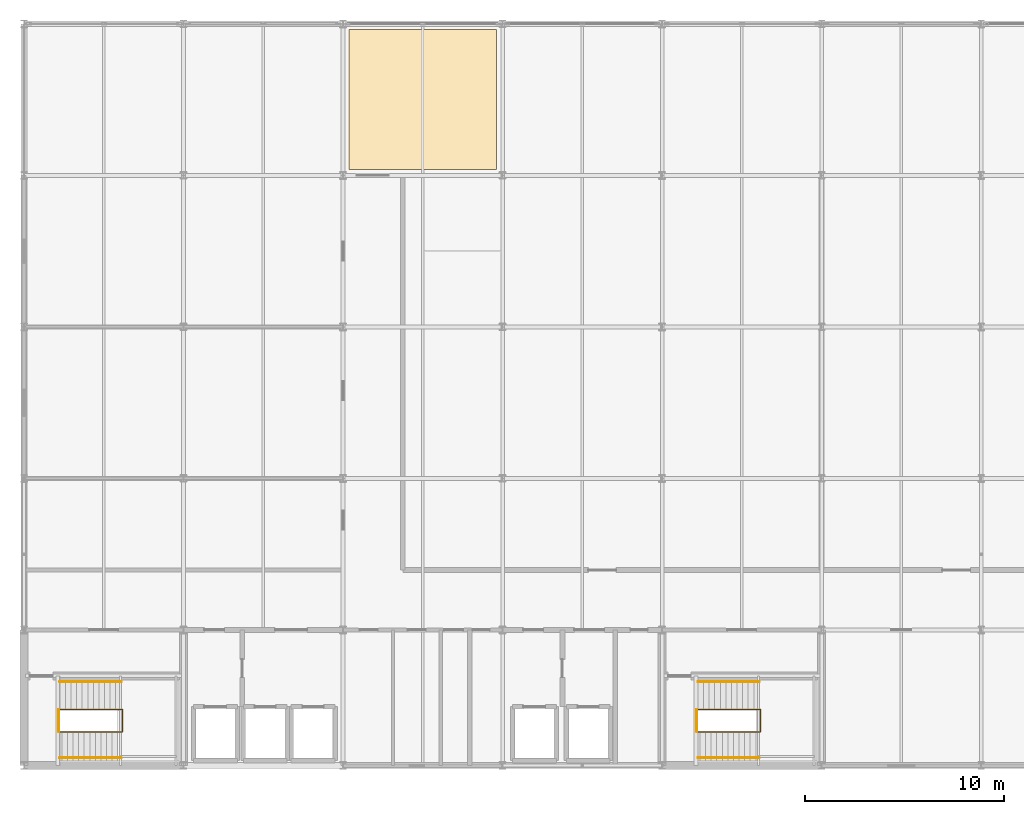
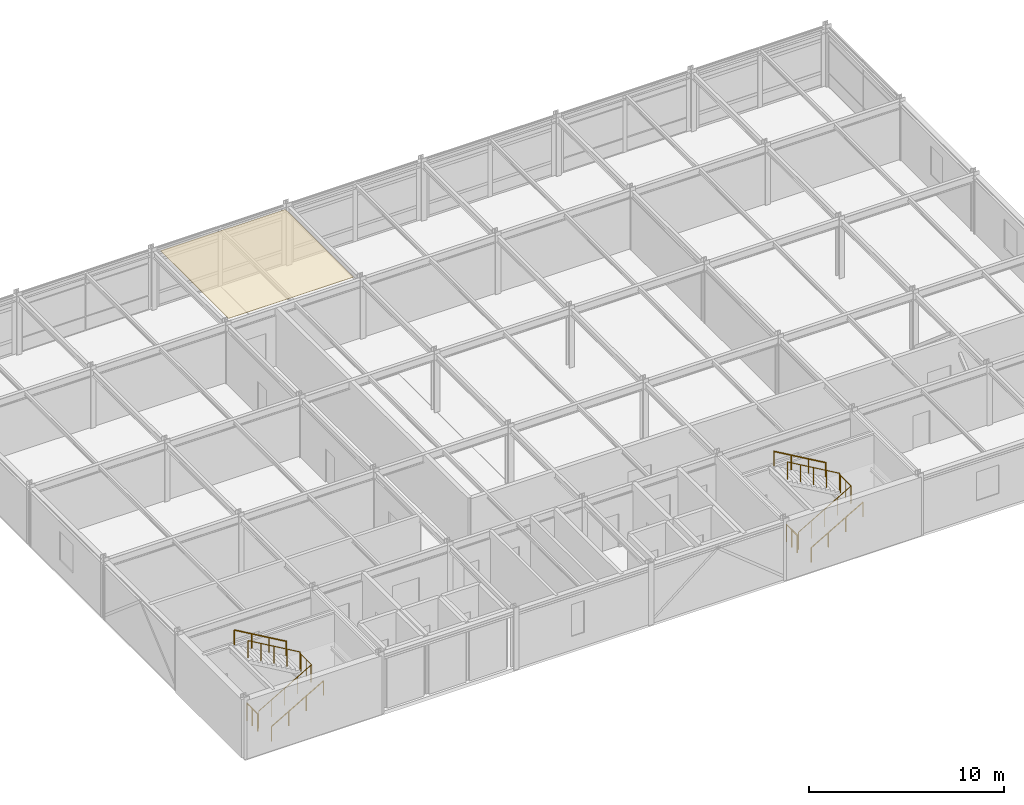
# One storey, part 16 of 16: 8 railings, 1 covering.
"""IFC4 building model written with IfcOpenShell, lengths in metres."""

from ifc_helpers import new_model, si_unit, direction, frame, origin, origin_2d, place, context, subcontext, project, spatial, polyline, circle, outline, extrude, material, layer, layer_set, type_object, element, save


model = new_model("IFC4")

# Units and contexts
model_context = context("Model", 3, precision=1e-05, world=origin(), true_north=direction((0.0, 1.0)))
body_context = subcontext(model_context, "Body", "Model", "MODEL_VIEW")
ifc_project = project(units=[si_unit("LENGTHUNIT", "METRE"), si_unit("AREAUNIT", "SQUARE_METRE"), si_unit("VOLUMEUNIT", "CUBIC_METRE"), si_unit("PLANEANGLEUNIT", "RADIAN"), si_unit("MASSUNIT", "GRAM", prefix="KILO")], contexts=[model_context])

# Site, building, storey
site_placement = place(None, origin())
site = spatial("IfcSite", under=ifc_project, at=site_placement, CompositionType="ELEMENT")
building_placement = place(site_placement, origin())
building = spatial("IfcBuilding", under=site, at=building_placement, Name="Shalkamar Park Central Library", CompositionType="ELEMENT")
storey_placement = place(building_placement, frame((0.0, 0.0, 43.800048828125)))
storey = spatial("IfcBuildingStorey", under=building, at=storey_placement, Name="L11", CompositionType="ELEMENT", Elevation=43.800048828125)

# Covering
ifc_material_1 = material(Name="Acoustic mineral fibre ceiling panel", Category="other")
ifc_layer = layer(ifc_material_1, 0.02490234375)
ifc_layer_set = layer_set([ifc_layer], Name="AcousticMineralCeilingTile")
covering_type = type_object("IfcCoveringType", Name="Acoustic Mineral Ceiling Tile", PredefinedType="CEILING", material=ifc_layer_set)
covering_placement = place(storey_placement, frame((0.0, 0.0, 3.655029296875)))
element("IfcCovering", 1, at=covering_placement, inside=storey, type_object=covering_type, Name="Acoustic Reading Ceiling Panel L11", PredefinedType="CEILING", context=body_context, shape_type="SweptSolid", body=[
    extrude(outline(polyline([(181.300048828125, 278.300048828125), (188.699951171875, 278.300048828125), (188.699951171875, 285.300048828125), (181.300048828125, 285.300048828125), (181.300048828125, 278.300048828125)])), origin(), (0.0, 0.0, 1.0), 0.02490234375),
])

# Railings
ifc_material_2 = material(Name="Steel S355", Category="steel")
railing_type_1 = type_object("IfcRailingType", Name="Stair Guardrail 1100", PredefinedType="GUARDRAIL", material=ifc_material_2)
railing_1_placement = place(storey_placement, frame((166.800048828125, 250.090087890625, 0.162353515625)))
element("IfcRailing", 2, at=railing_1_placement, inside=storey, type_object=railing_type_1, Name="Stair Inner Well Guardrail ST-T1-L11", PredefinedType="GUARDRAIL", context=body_context, shape_type="SweptSolid", body=[
    extrude(circle(Radius=0.02392578125, at=origin_2d()), frame((0.0, 0.0, 1.076171875), z_axis=(0.864873446163, 0.0, 0.501989962173), x_axis=(0.0, 1.0, 0.0)), (0.0, 0.0, 1.0), 3.56103515625),
    extrude(circle(Radius=0.02392578125, at=origin_2d()), frame((3.079833984375, 0.0, 2.86376953125), z_axis=(1.0, 0.0, 0.0), x_axis=(0.0, 1.0, 0.0)), (0.0, 0.0, 1.0), 0.06005859375),
    extrude(circle(Radius=0.02392578125, at=origin_2d()), frame((3.139892578125, 0.0, 2.86376953125), z_axis=(0.0, 1.0, 0.0), x_axis=(-1.0, 0.0, 0.0)), (0.0, 0.0, 1.0), 1.119873046875),
    extrude(circle(Radius=0.02392578125, at=origin_2d()), frame((3.139892578125, 1.119873046875, 2.86376953125), z_axis=(-0.346488496144, 0.0, 0.938054221269), x_axis=(0.0, -1.0, 0.0)), (0.0, 0.0, 1.0), 0.17333984375),
    extrude(circle(Radius=0.02392578125, at=origin_2d()), frame((3.079833984375, 1.119873046875, 3.0263671875), z_axis=(-0.864903211148, 0.0, 0.501938676878), x_axis=(0.0, -1.0, 0.0)), (0.0, 0.0, 1.0), 3.560791015625),
    extrude(circle(Radius=0.02099609375, at=origin_2d()), origin(), (0.0, 0.0, 1.0), 1.052001953125),
    extrude(circle(Radius=0.02099609375, at=origin_2d()), frame((0.77001953125, 0.0, 0.44677734375)), (0.0, 0.0, 1.0), 1.052001953125),
    extrude(circle(Radius=0.02099609375, at=origin_2d()), frame((1.5400390625, 0.0, 0.893798828125)), (0.0, 0.0, 1.0), 1.052001953125),
    extrude(circle(Radius=0.02099609375, at=origin_2d()), frame((2.309814453125, 0.0, 1.3408203125)), (0.0, 0.0, 1.0), 1.052001953125),
    extrude(circle(Radius=0.02099609375, at=origin_2d()), frame((3.079833984375, 0.0, 1.78759765625)), (0.0, 0.0, 1.0), 1.052001953125),
    extrude(circle(Radius=0.02099609375, at=origin_2d()), frame((3.139892578125, 0.0, 1.78759765625)), (0.0, 0.0, 1.0), 1.052001953125),
    extrude(circle(Radius=0.02099609375, at=origin_2d()), frame((3.139892578125, 0.56005859375, 1.78759765625)), (0.0, 0.0, 1.0), 1.052001953125),
    extrude(circle(Radius=0.02099609375, at=origin_2d()), frame((3.139892578125, 1.119873046875, 1.78759765625)), (0.0, 0.0, 1.0), 1.052001953125),
    extrude(circle(Radius=0.02099609375, at=origin_2d()), frame((3.079833984375, 1.119873046875, 1.9501953125)), (0.0, 0.0, 1.0), 1.052001953125),
    extrude(circle(Radius=0.02099609375, at=origin_2d()), frame((2.309814453125, 1.119873046875, 2.39697265625)), (0.0, 0.0, 1.0), 1.052001953125),
    extrude(circle(Radius=0.02099609375, at=origin_2d()), frame((1.5400390625, 1.119873046875, 2.84375)), (0.0, 0.0, 1.0), 1.052001953125),
    extrude(circle(Radius=0.02099609375, at=origin_2d()), frame((0.77001953125, 1.119873046875, 3.290771484375)), (0.0, 0.0, 1.0), 1.052001953125),
    extrude(circle(Radius=0.02099609375, at=origin_2d()), frame((0.0, 1.119873046875, 3.737548828125)), (0.0, 0.0, 1.0), 1.052001953125),
])
railing_2_placement = place(storey_placement, frame((166.739990234375, 250.10009765625, 0.0)))
element("IfcRailing", 3, at=railing_2_placement, inside=storey, type_object=railing_type_1, Name="Stair Arrival Well Guardrail ST-T1 (L11)", PredefinedType="GUARDRAIL", context=body_context, shape_type="SweptSolid", body=[
    extrude(circle(Radius=0.02392578125, at=origin_2d()), frame((0.0, 0.0, 1.076171875), z_axis=(0.0, 1.0, 0.0), x_axis=(-1.0, 0.0, 0.0)), (0.0, 0.0, 1.0), 1.099853515625),
    extrude(circle(Radius=0.02099609375, at=origin_2d()), origin(), (0.0, 0.0, 1.0), 1.052001953125),
    extrude(circle(Radius=0.02099609375, at=origin_2d()), frame((0.0, 0.5498046875, 0.0)), (0.0, 0.0, 1.0), 1.052001953125),
    extrude(circle(Radius=0.02099609375, at=origin_2d()), frame((0.0, 1.099853515625, 0.0)), (0.0, 0.0, 1.0), 1.052001953125),
])
railing_3_placement = place(storey_placement, frame((198.800048828125, 250.090087890625, 0.162353515625)))
element("IfcRailing", 4, at=railing_3_placement, inside=storey, type_object=railing_type_1, Name="Stair Inner Well Guardrail ST-T2-L11", PredefinedType="GUARDRAIL", context=body_context, shape_type="SweptSolid", body=[
    extrude(circle(Radius=0.02392578125, at=origin_2d()), frame((0.0, 0.0, 1.076171875), z_axis=(0.864873446163, 0.0, 0.501989962173), x_axis=(0.0, 1.0, 0.0)), (0.0, 0.0, 1.0), 3.56103515625),
    extrude(circle(Radius=0.02392578125, at=origin_2d()), frame((3.079833984375, 0.0, 2.86376953125), z_axis=(1.0, 0.0, 0.0), x_axis=(0.0, 1.0, 0.0)), (0.0, 0.0, 1.0), 0.06005859375),
    extrude(circle(Radius=0.02392578125, at=origin_2d()), frame((3.139892578125, 0.0, 2.86376953125), z_axis=(0.0, 1.0, 0.0), x_axis=(-1.0, 0.0, 0.0)), (0.0, 0.0, 1.0), 1.119873046875),
    extrude(circle(Radius=0.02392578125, at=origin_2d()), frame((3.139892578125, 1.119873046875, 2.86376953125), z_axis=(-0.346488496144, 0.0, 0.938054221269), x_axis=(0.0, -1.0, 0.0)), (0.0, 0.0, 1.0), 0.17333984375),
    extrude(circle(Radius=0.02392578125, at=origin_2d()), frame((3.079833984375, 1.119873046875, 3.0263671875), z_axis=(-0.864903211148, 0.0, 0.501938676878), x_axis=(0.0, -1.0, 0.0)), (0.0, 0.0, 1.0), 3.560791015625),
    extrude(circle(Radius=0.02099609375, at=origin_2d()), origin(), (0.0, 0.0, 1.0), 1.052001953125),
    extrude(circle(Radius=0.02099609375, at=origin_2d()), frame((0.77001953125, 0.0, 0.44677734375)), (0.0, 0.0, 1.0), 1.052001953125),
    extrude(circle(Radius=0.02099609375, at=origin_2d()), frame((1.5400390625, 0.0, 0.893798828125)), (0.0, 0.0, 1.0), 1.052001953125),
    extrude(circle(Radius=0.02099609375, at=origin_2d()), frame((2.309814453125, 0.0, 1.3408203125)), (0.0, 0.0, 1.0), 1.052001953125),
    extrude(circle(Radius=0.02099609375, at=origin_2d()), frame((3.079833984375, 0.0, 1.78759765625)), (0.0, 0.0, 1.0), 1.052001953125),
    extrude(circle(Radius=0.02099609375, at=origin_2d()), frame((3.139892578125, 0.0, 1.78759765625)), (0.0, 0.0, 1.0), 1.052001953125),
    extrude(circle(Radius=0.02099609375, at=origin_2d()), frame((3.139892578125, 0.56005859375, 1.78759765625)), (0.0, 0.0, 1.0), 1.052001953125),
    extrude(circle(Radius=0.02099609375, at=origin_2d()), frame((3.139892578125, 1.119873046875, 1.78759765625)), (0.0, 0.0, 1.0), 1.052001953125),
    extrude(circle(Radius=0.02099609375, at=origin_2d()), frame((3.079833984375, 1.119873046875, 1.9501953125)), (0.0, 0.0, 1.0), 1.052001953125),
    extrude(circle(Radius=0.02099609375, at=origin_2d()), frame((2.309814453125, 1.119873046875, 2.39697265625)), (0.0, 0.0, 1.0), 1.052001953125),
    extrude(circle(Radius=0.02099609375, at=origin_2d()), frame((1.5400390625, 1.119873046875, 2.84375)), (0.0, 0.0, 1.0), 1.052001953125),
    extrude(circle(Radius=0.02099609375, at=origin_2d()), frame((0.77001953125, 1.119873046875, 3.290771484375)), (0.0, 0.0, 1.0), 1.052001953125),
    extrude(circle(Radius=0.02099609375, at=origin_2d()), frame((0.0, 1.119873046875, 3.737548828125)), (0.0, 0.0, 1.0), 1.052001953125),
])
railing_4_placement = place(storey_placement, frame((198.739990234375, 250.10009765625, 0.0)))
element("IfcRailing", 5, at=railing_4_placement, inside=storey, type_object=railing_type_1, Name="Stair Arrival Well Guardrail ST-T2 (L11)", PredefinedType="GUARDRAIL", context=body_context, shape_type="SweptSolid", body=[
    extrude(circle(Radius=0.02392578125, at=origin_2d()), frame((0.0, 0.0, 1.076171875), z_axis=(0.0, 1.0, 0.0), x_axis=(-1.0, 0.0, 0.0)), (0.0, 0.0, 1.0), 1.099853515625),
    extrude(circle(Radius=0.02099609375, at=origin_2d()), origin(), (0.0, 0.0, 1.0), 1.052001953125),
    extrude(circle(Radius=0.02099609375, at=origin_2d()), frame((0.0, 0.5498046875, 0.0)), (0.0, 0.0, 1.0), 1.052001953125),
    extrude(circle(Radius=0.02099609375, at=origin_2d()), frame((0.0, 1.099853515625, 0.0)), (0.0, 0.0, 1.0), 1.052001953125),
])
railing_type_2 = type_object("IfcRailingType", Name="Stair Pitched Handrail 920", PredefinedType="HANDRAIL", material=ifc_material_2)
railing_5_placement = place(storey_placement, frame((166.800048828125, 248.780029296875, 0.162353515625)))
element("IfcRailing", 6, at=railing_5_placement, inside=storey, type_object=railing_type_2, Name="Stair Wall Handrail ST-T1-L11 Flight 1", PredefinedType="HANDRAIL", context=body_context, shape_type="SweptSolid", body=[
    extrude(circle(Radius=0.02392578125, at=origin_2d()), frame((0.0, 0.0, 0.89599609375), z_axis=(0.864873446163, 0.0, 0.501989962173), x_axis=(0.0, 1.0, 0.0)), (0.0, 0.0, 1.0), 3.56103515625),
    extrude(circle(Radius=0.02099609375, at=origin_2d()), origin(), (0.0, 0.0, 1.0), 0.871826171875),
    extrude(circle(Radius=0.02099609375, at=origin_2d()), frame((1.026611328125, 0.0, 0.595947265625)), (0.0, 0.0, 1.0), 0.871826171875),
    extrude(circle(Radius=0.02099609375, at=origin_2d()), frame((2.05322265625, 0.0, 1.191650390625)), (0.0, 0.0, 1.0), 0.871826171875),
    extrude(circle(Radius=0.02099609375, at=origin_2d()), frame((3.079833984375, 0.0, 1.78759765625)), (0.0, 0.0, 1.0), 0.871826171875),
])
railing_6_placement = place(storey_placement, frame((169.8798828125, 252.60009765625, 2.112548828125)))
element("IfcRailing", 7, at=railing_6_placement, inside=storey, type_object=railing_type_2, Name="Stair Wall Handrail ST-T1-L11 Flight 2", PredefinedType="HANDRAIL", context=body_context, shape_type="SweptSolid", body=[
    extrude(circle(Radius=0.02392578125, at=origin_2d()), frame((0.0, 0.0, 0.89599609375), z_axis=(-0.864903211148, 0.0, 0.501938676878), x_axis=(0.0, -1.0, 0.0)), (0.0, 0.0, 1.0), 3.560791015625),
    extrude(circle(Radius=0.02099609375, at=origin_2d()), origin(), (0.0, 0.0, 1.0), 0.871826171875),
    extrude(circle(Radius=0.02099609375, at=origin_2d()), frame((-1.026611328125, 0.0, 0.595703125)), (0.0, 0.0, 1.0), 0.871826171875),
    extrude(circle(Radius=0.02099609375, at=origin_2d()), frame((-2.05322265625, 0.0, 1.191650390625)), (0.0, 0.0, 1.0), 0.871826171875),
    extrude(circle(Radius=0.02099609375, at=origin_2d()), frame((-3.079833984375, 0.0, 1.787353515625)), (0.0, 0.0, 1.0), 0.871826171875),
])
railing_7_placement = place(storey_placement, frame((198.800048828125, 248.780029296875, 0.162353515625)))
element("IfcRailing", 8, at=railing_7_placement, inside=storey, type_object=railing_type_2, Name="Stair Wall Handrail ST-T2-L11 Flight 1", PredefinedType="HANDRAIL", context=body_context, shape_type="SweptSolid", body=[
    extrude(circle(Radius=0.02392578125, at=origin_2d()), frame((0.0, 0.0, 0.89599609375), z_axis=(0.864873446163, 0.0, 0.501989962173), x_axis=(0.0, 1.0, 0.0)), (0.0, 0.0, 1.0), 3.56103515625),
    extrude(circle(Radius=0.02099609375, at=origin_2d()), origin(), (0.0, 0.0, 1.0), 0.871826171875),
    extrude(circle(Radius=0.02099609375, at=origin_2d()), frame((1.026611328125, 0.0, 0.595947265625)), (0.0, 0.0, 1.0), 0.871826171875),
    extrude(circle(Radius=0.02099609375, at=origin_2d()), frame((2.05322265625, 0.0, 1.191650390625)), (0.0, 0.0, 1.0), 0.871826171875),
    extrude(circle(Radius=0.02099609375, at=origin_2d()), frame((3.079833984375, 0.0, 1.78759765625)), (0.0, 0.0, 1.0), 0.871826171875),
])
railing_8_placement = place(storey_placement, frame((201.8798828125, 252.60009765625, 2.112548828125)))
element("IfcRailing", 9, at=railing_8_placement, inside=storey, type_object=railing_type_2, Name="Stair Wall Handrail ST-T2-L11 Flight 2", PredefinedType="HANDRAIL", context=body_context, shape_type="SweptSolid", body=[
    extrude(circle(Radius=0.02392578125, at=origin_2d()), frame((0.0, 0.0, 0.89599609375), z_axis=(-0.864903211148, 0.0, 0.501938676878), x_axis=(0.0, -1.0, 0.0)), (0.0, 0.0, 1.0), 3.560791015625),
    extrude(circle(Radius=0.02099609375, at=origin_2d()), origin(), (0.0, 0.0, 1.0), 0.871826171875),
    extrude(circle(Radius=0.02099609375, at=origin_2d()), frame((-1.026611328125, 0.0, 0.595703125)), (0.0, 0.0, 1.0), 0.871826171875),
    extrude(circle(Radius=0.02099609375, at=origin_2d()), frame((-2.05322265625, 0.0, 1.191650390625)), (0.0, 0.0, 1.0), 0.871826171875),
    extrude(circle(Radius=0.02099609375, at=origin_2d()), frame((-3.079833984375, 0.0, 1.787353515625)), (0.0, 0.0, 1.0), 0.871826171875),
])

save(model, "model.ifc")
